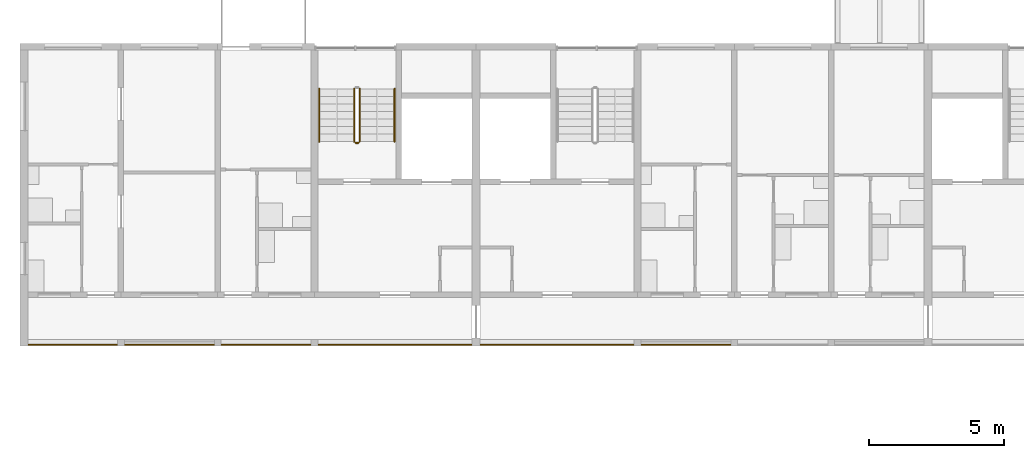
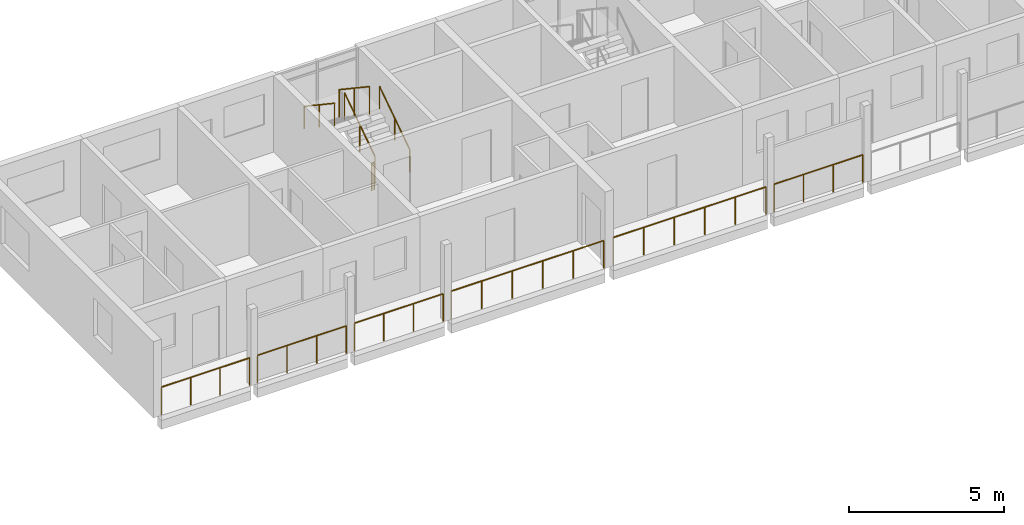
# One storey, part 76 of 100: 11 railings.
"""IFC4 building model written with IfcOpenShell, lengths in metres."""

from ifc_helpers import new_model, si_unit, direction, frame, origin, origin_2d, place, context, subcontext, project, spatial, circle, extrude, material, type_object, element, save


model = new_model("IFC4")

# Units and contexts
model_context = context("Model", 3, precision=1e-05, world=origin(), true_north=direction((0.0, 1.0)))
body_context = subcontext(model_context, "Body", "Model", "MODEL_VIEW")
ifc_project = project(units=[si_unit("LENGTHUNIT", "METRE"), si_unit("AREAUNIT", "SQUARE_METRE"), si_unit("VOLUMEUNIT", "CUBIC_METRE"), si_unit("PLANEANGLEUNIT", "RADIAN"), si_unit("MASSUNIT", "GRAM", prefix="KILO")], contexts=[model_context])

# Site, building, storey
site_placement = place(None, origin())
site = spatial("IfcSite", under=ifc_project, at=site_placement, CompositionType="ELEMENT")
building_placement = place(site_placement, origin())
building = spatial("IfcBuilding", under=site, at=building_placement, Name="Ridgestep Commons", CompositionType="ELEMENT")
storey_placement = place(building_placement, frame((0.0, 0.0, 9.0)))
storey = spatial("IfcBuildingStorey", under=building, at=storey_placement, Name="L03", CompositionType="ELEMENT", Elevation=9.0)

# Railings
ifc_material_1 = material(Name="Structural steel S355JR", Category="steel")
railing_type_1 = type_object("IfcRailingType", Name="Guard 1100", PredefinedType="GUARDRAIL", material=ifc_material_1)
railing_1_placement = place(storey_placement, frame((12.1708984375, 66.050048828125, 0.0)))
element("IfcRailing", 1, at=railing_1_placement, inside=storey, type_object=railing_type_1, Name="Gallery guard B 03.1", PredefinedType="GUARDRAIL", context=body_context, shape_type="SweptSolid", body=[
    extrude(circle(Radius=0.02392578125, at=origin_2d()), frame((0.0, 0.0, 1.076171875), z_axis=(1.0, 0.0, 0.0), x_axis=(0.0, 1.0, 0.0)), (0.0, 0.0, 1.0), 3.283203125),
    extrude(circle(Radius=0.02099609375, at=origin_2d()), origin(), (0.0, 0.0, 1.0), 1.052001953125),
    extrude(circle(Radius=0.02099609375, at=origin_2d()), frame((1.094482421875, 0.0, 0.0)), (0.0, 0.0, 1.0), 1.052001953125),
    extrude(circle(Radius=0.02099609375, at=origin_2d()), frame((2.188720703125, 0.0, 0.0)), (0.0, 0.0, 1.0), 1.052001953125),
    extrude(circle(Radius=0.02099609375, at=origin_2d()), frame((3.283203125, 0.0, 0.0)), (0.0, 0.0, 1.0), 1.052001953125),
])
railing_2_placement = place(storey_placement, frame((15.74609375, 66.050048828125, 0.0)))
element("IfcRailing", 2, at=railing_2_placement, inside=storey, type_object=railing_type_1, Name="Gallery guard B 03.2", PredefinedType="GUARDRAIL", context=body_context, shape_type="SweptSolid", body=[
    extrude(circle(Radius=0.02392578125, at=origin_2d()), frame((0.0, 0.0, 1.076171875), z_axis=(1.0, 0.0, 0.0), x_axis=(0.0, 1.0, 0.0)), (0.0, 0.0, 1.0), 3.307861328125),
    extrude(circle(Radius=0.02099609375, at=origin_2d()), origin(), (0.0, 0.0, 1.0), 1.052001953125),
    extrude(circle(Radius=0.02099609375, at=origin_2d()), frame((1.1025390625, 0.0, 0.0)), (0.0, 0.0, 1.0), 1.052001953125),
    extrude(circle(Radius=0.02099609375, at=origin_2d()), frame((2.205322265625, 0.0, 0.0)), (0.0, 0.0, 1.0), 1.052001953125),
    extrude(circle(Radius=0.02099609375, at=origin_2d()), frame((3.307861328125, 0.0, 0.0)), (0.0, 0.0, 1.0), 1.052001953125),
])
railing_3_placement = place(storey_placement, frame((19.345947265625, 66.050048828125, 0.0)))
element("IfcRailing", 3, at=railing_3_placement, inside=storey, type_object=railing_type_1, Name="Gallery guard B 03.3", PredefinedType="GUARDRAIL", context=body_context, shape_type="SweptSolid", body=[
    extrude(circle(Radius=0.02392578125, at=origin_2d()), frame((0.0, 0.0, 1.076171875), z_axis=(1.0, 0.0, 0.0), x_axis=(0.0, 1.0, 0.0)), (0.0, 0.0, 1.0), 3.30810546875),
    extrude(circle(Radius=0.02099609375, at=origin_2d()), origin(), (0.0, 0.0, 1.0), 1.052001953125),
    extrude(circle(Radius=0.02099609375, at=origin_2d()), frame((1.102783203125, 0.0, 0.0)), (0.0, 0.0, 1.0), 1.052001953125),
    extrude(circle(Radius=0.02099609375, at=origin_2d()), frame((2.205322265625, 0.0, 0.0)), (0.0, 0.0, 1.0), 1.052001953125),
    extrude(circle(Radius=0.02099609375, at=origin_2d()), frame((3.30810546875, 0.0, 0.0)), (0.0, 0.0, 1.0), 1.052001953125),
])
railing_4_placement = place(storey_placement, frame((22.946044921875, 66.050048828125, 0.0)))
element("IfcRailing", 4, at=railing_4_placement, inside=storey, type_object=railing_type_1, Name="Gallery guard B 03.4", PredefinedType="GUARDRAIL", context=body_context, shape_type="SweptSolid", body=[
    extrude(circle(Radius=0.02392578125, at=origin_2d()), frame((0.0, 0.0, 1.076171875), z_axis=(1.0, 0.0, 0.0), x_axis=(0.0, 1.0, 0.0)), (0.0, 0.0, 1.0), 5.682861328125),
    extrude(circle(Radius=0.02099609375, at=origin_2d()), origin(), (0.0, 0.0, 1.0), 1.052001953125),
    extrude(circle(Radius=0.02099609375, at=origin_2d()), frame((1.136474609375, 0.0, 0.0)), (0.0, 0.0, 1.0), 1.052001953125),
    extrude(circle(Radius=0.02099609375, at=origin_2d()), frame((2.273193359375, 0.0, 0.0)), (0.0, 0.0, 1.0), 1.052001953125),
    extrude(circle(Radius=0.02099609375, at=origin_2d()), frame((3.40966796875, 0.0, 0.0)), (0.0, 0.0, 1.0), 1.052001953125),
    extrude(circle(Radius=0.02099609375, at=origin_2d()), frame((4.54638671875, 0.0, 0.0)), (0.0, 0.0, 1.0), 1.052001953125),
    extrude(circle(Radius=0.02099609375, at=origin_2d()), frame((5.682861328125, 0.0, 0.0)), (0.0, 0.0, 1.0), 1.052001953125),
])
railing_5_placement = place(storey_placement, frame((28.970947265625, 66.050048828125, 0.0)))
element("IfcRailing", 5, at=railing_5_placement, inside=storey, type_object=railing_type_1, Name="Gallery guard B 03.5", PredefinedType="GUARDRAIL", context=body_context, shape_type="SweptSolid", body=[
    extrude(circle(Radius=0.02392578125, at=origin_2d()), frame((0.0, 0.0, 1.076171875), z_axis=(1.0, 0.0, 0.0), x_axis=(0.0, 1.0, 0.0)), (0.0, 0.0, 1.0), 5.68310546875),
    extrude(circle(Radius=0.02099609375, at=origin_2d()), origin(), (0.0, 0.0, 1.0), 1.052001953125),
    extrude(circle(Radius=0.02099609375, at=origin_2d()), frame((1.13671875, 0.0, 0.0)), (0.0, 0.0, 1.0), 1.052001953125),
    extrude(circle(Radius=0.02099609375, at=origin_2d()), frame((2.273193359375, 0.0, 0.0)), (0.0, 0.0, 1.0), 1.052001953125),
    extrude(circle(Radius=0.02099609375, at=origin_2d()), frame((3.409912109375, 0.0, 0.0)), (0.0, 0.0, 1.0), 1.052001953125),
    extrude(circle(Radius=0.02099609375, at=origin_2d()), frame((4.54638671875, 0.0, 0.0)), (0.0, 0.0, 1.0), 1.052001953125),
    extrude(circle(Radius=0.02099609375, at=origin_2d()), frame((5.68310546875, 0.0, 0.0)), (0.0, 0.0, 1.0), 1.052001953125),
])
railing_6_placement = place(storey_placement, frame((34.946044921875, 66.050048828125, 0.0)))
element("IfcRailing", 6, at=railing_6_placement, inside=storey, type_object=railing_type_1, Name="Gallery guard B 03.6", PredefinedType="GUARDRAIL", context=body_context, shape_type="SweptSolid", body=[
    extrude(circle(Radius=0.02392578125, at=origin_2d()), frame((0.0, 0.0, 1.076171875), z_axis=(1.0, 0.0, 0.0), x_axis=(0.0, 1.0, 0.0)), (0.0, 0.0, 1.0), 3.307861328125),
    extrude(circle(Radius=0.02099609375, at=origin_2d()), origin(), (0.0, 0.0, 1.0), 1.052001953125),
    extrude(circle(Radius=0.02099609375, at=origin_2d()), frame((1.1025390625, 0.0, 0.0)), (0.0, 0.0, 1.0), 1.052001953125),
    extrude(circle(Radius=0.02099609375, at=origin_2d()), frame((2.205322265625, 0.0, 0.0)), (0.0, 0.0, 1.0), 1.052001953125),
    extrude(circle(Radius=0.02099609375, at=origin_2d()), frame((3.307861328125, 0.0, 0.0)), (0.0, 0.0, 1.0), 1.052001953125),
])
ifc_material_2 = material(Name="Structural steel S355JR", Category="steel")
railing_type_2 = type_object("IfcRailingType", Name="Stair guard 1100", PredefinedType="GUARDRAIL", material=ifc_material_2)
railing_7_placement = place(storey_placement, frame((24.47509765625, 73.60009765625, 0.1875)))
element("IfcRailing", 7, at=railing_7_placement, inside=storey, type_object=railing_type_2, Name="L03 B1C stair guard 1", PredefinedType="GUARDRAIL", context=body_context, shape_type="SweptSolid", body=[
    extrude(circle(Radius=0.02392578125, at=origin_2d()), frame((0.0, 0.0, 1.076171875), z_axis=(0.0, 0.830902050051, 0.556418712142), x_axis=(-1.0, 0.0, 0.0)), (0.0, 0.0, 1.0), 2.35888671875),
    extrude(circle(Radius=0.02099609375, at=origin_2d()), origin(), (0.0, 0.0, 1.0), 1.052001953125),
    extrude(circle(Radius=0.02099609375, at=origin_2d()), frame((0.0, 0.97998046875, 0.65625)), (0.0, 0.0, 1.0), 1.052001953125),
    extrude(circle(Radius=0.02099609375, at=origin_2d()), frame((0.0, 1.9599609375, 1.3125)), (0.0, 0.0, 1.0), 1.052001953125),
])
railing_8_placement = place(storey_placement, frame((24.27490234375, 75.56005859375, 1.6875)))
element("IfcRailing", 8, at=railing_8_placement, inside=storey, type_object=railing_type_2, Name="L03 B1C stair guard 3", PredefinedType="GUARDRAIL", context=body_context, shape_type="SweptSolid", body=[
    extrude(circle(Radius=0.02392578125, at=origin_2d()), frame((0.0, 0.0, 1.076171875), z_axis=(0.0, -0.830902050051, 0.556418712142), x_axis=(1.0, 0.0, 0.0)), (0.0, 0.0, 1.0), 2.35888671875),
    extrude(circle(Radius=0.02099609375, at=origin_2d()), origin(), (0.0, 0.0, 1.0), 1.052001953125),
    extrude(circle(Radius=0.02099609375, at=origin_2d()), frame((0.0, -0.97998046875, 0.65625)), (0.0, 0.0, 1.0), 1.052001953125),
    extrude(circle(Radius=0.02099609375, at=origin_2d()), frame((0.0, -1.9599609375, 1.3125)), (0.0, 0.0, 1.0), 1.052001953125),
])
railing_9_placement = place(storey_placement, frame((24.425048828125, 73.550048828125, 0.0)))
element("IfcRailing", 9, at=railing_9_placement, inside=storey, type_object=railing_type_2, Name="L03 B1C stair guard 4", PredefinedType="GUARDRAIL", context=body_context, shape_type="SweptSolid", body=[
    extrude(circle(Radius=0.02392578125, at=origin_2d()), frame((0.0, 0.0, 1.076171875), z_axis=(-1.0, 0.0, 0.0), x_axis=(0.0, -1.0, 0.0)), (0.0, 0.0, 1.0), 0.10009765625),
    extrude(circle(Radius=0.02099609375, at=origin_2d()), origin(), (0.0, 0.0, 1.0), 1.052001953125),
    extrude(circle(Radius=0.02099609375, at=origin_2d()), frame((-0.10009765625, 0.0, 0.0)), (0.0, 0.0, 1.0), 1.052001953125),
])
ifc_material_3 = material(Name="Structural steel S355JR", Category="steel")
railing_type_3 = type_object("IfcRailingType", Name="Stair handrail 900", PredefinedType="HANDRAIL", material=ifc_material_3)
railing_10_placement = place(storey_placement, frame((25.77490234375, 73.60009765625, 0.1875)))
element("IfcRailing", 10, at=railing_10_placement, inside=storey, type_object=railing_type_3, Name="L03 B1C stair handrail 1", PredefinedType="HANDRAIL", context=body_context, shape_type="SweptSolid", body=[
    extrude(circle(Radius=0.02392578125, at=origin_2d()), frame((0.0, 0.0, 0.8759765625), z_axis=(0.0, 0.830902050051, 0.556418712142), x_axis=(-1.0, 0.0, 0.0)), (0.0, 0.0, 1.0), 2.35888671875),
    extrude(circle(Radius=0.02099609375, at=origin_2d()), origin(), (0.0, 0.0, 1.0), 0.851806640625),
    extrude(circle(Radius=0.02099609375, at=origin_2d()), frame((0.0, 0.97998046875, 0.65625)), (0.0, 0.0, 1.0), 0.851806640625),
    extrude(circle(Radius=0.02099609375, at=origin_2d()), frame((0.0, 1.9599609375, 1.3125)), (0.0, 0.0, 1.0), 0.851806640625),
])
railing_11_placement = place(storey_placement, frame((22.97509765625, 75.56005859375, 1.6875)))
element("IfcRailing", 11, at=railing_11_placement, inside=storey, type_object=railing_type_3, Name="L03 B1C stair handrail 2", PredefinedType="HANDRAIL", context=body_context, shape_type="SweptSolid", body=[
    extrude(circle(Radius=0.02392578125, at=origin_2d()), frame((0.0, 0.0, 0.8759765625), z_axis=(0.0, -0.830902050051, 0.556418712142), x_axis=(1.0, 0.0, 0.0)), (0.0, 0.0, 1.0), 2.35888671875),
    extrude(circle(Radius=0.02099609375, at=origin_2d()), origin(), (0.0, 0.0, 1.0), 0.851806640625),
    extrude(circle(Radius=0.02099609375, at=origin_2d()), frame((0.0, -0.97998046875, 0.65625)), (0.0, 0.0, 1.0), 0.851806640625),
    extrude(circle(Radius=0.02099609375, at=origin_2d()), frame((0.0, -1.9599609375, 1.3125)), (0.0, 0.0, 1.0), 0.851806640625),
])

save(model, "model.ifc")
